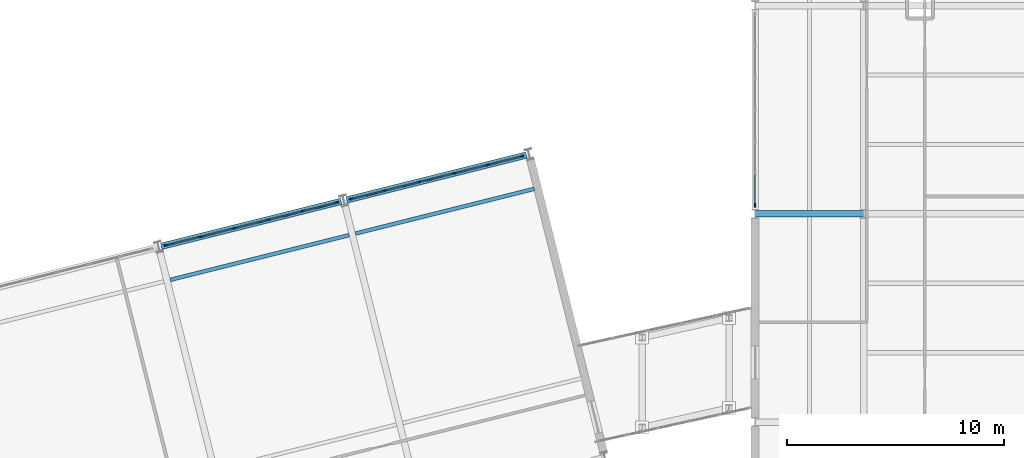
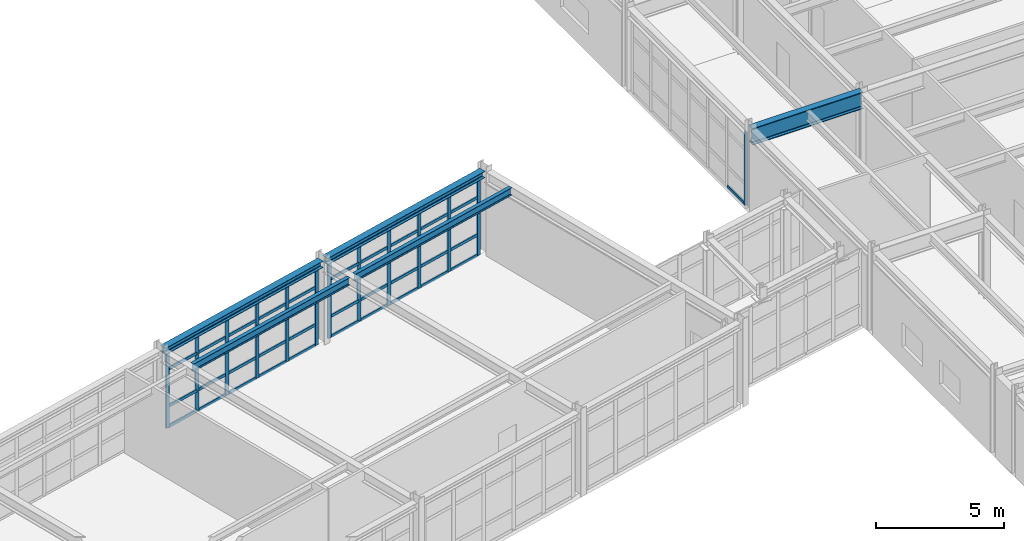
# One storey, part 50 of 99: 54 members, 5 beams, 3 elements without a shape of their own.
"""IFC4 building model written with IfcOpenShell, lengths in metres."""

from ifc_helpers import new_model, si_unit, direction, frame, origin, origin_2d, place, context, subcontext, project, spatial, rectangle, i_section, extrude, material, layer, layer_set, material_profile, profile_set, type_object, element, aggregate, save


model = new_model("IFC4")

# Units and contexts
model_context = context("Model", 3, precision=1e-05, world=origin(), true_north=direction((0.0, 1.0)))
body_context = subcontext(model_context, "Body", "Model", "MODEL_VIEW")
ifc_project = project(units=[si_unit("LENGTHUNIT", "METRE"), si_unit("AREAUNIT", "SQUARE_METRE"), si_unit("VOLUMEUNIT", "CUBIC_METRE"), si_unit("PLANEANGLEUNIT", "RADIAN"), si_unit("MASSUNIT", "GRAM", prefix="KILO")], contexts=[model_context])

# Site, building, storey
site_placement = place(None, origin())
site = spatial("IfcSite", under=ifc_project, at=site_placement, CompositionType="ELEMENT")
building_placement = place(site_placement, origin())
building = spatial("IfcBuilding", under=site, at=building_placement, Name="Nordkorset Police Headquarters", CompositionType="ELEMENT")
storey_placement = place(building_placement, frame((0.0, 0.0, 5.25)))
storey = spatial("IfcBuildingStorey", under=building, at=storey_placement, Name="L01", CompositionType="ELEMENT", Elevation=5.25)

# Beams
ifc_material_1 = material(Name="Steel S355J2", Category="steel")
ifc_material_profile_1 = material_profile(ifc_material_1, i_section(OverallWidth=0.169921875, OverallDepth=0.360107421875, WebThickness=0.008056640625, FlangeThickness=0.0126953125, FilletRadius=0.01806640625, at=origin_2d()), Name="IPE 360")
ifc_profile_set_1 = profile_set([ifc_material_profile_1], Name="Steel S355J2")
beam_type_1 = type_object("IfcBeamType", Name="Beam_IPE_360", PredefinedType="BEAM", material=ifc_profile_set_1)
for number, where, z_axis, x_axis, name in (
    (1, (59.44677734375, 64.155517578125, 3.780029296875), (0.970135741501, 0.242562658011, 0.0), (-0.242562658011, 0.970135741501, 0.0), "Splayed Wing Secondary Beam L01 4-2"),
    (2, (67.984130859375, 66.2900390625, 3.780029296875), (0.970142500145, 0.242535625036, 0.0), (-0.242535625036, 0.970142500145, 0.0), "Splayed Wing Secondary Beam L01 5-2"),
):
    element("IfcBeam", number, at=place(storey_placement, frame(where, z_axis=z_axis, x_axis=x_axis)), inside=storey, type_object=beam_type_1, Name=name, PredefinedType="BEAM", context=body_context, shape_type="SweptSolid", body=[
        extrude(i_section(OverallWidth=0.169921875, OverallDepth=0.360107421875, WebThickness=0.008056640625, FlangeThickness=0.0126953125, FilletRadius=0.01806640625, at=origin_2d()), origin(), (0.0, 0.0, 1.0), 8.5),
    ])

# Curtain wall, members
ifc_material_2 = material(Name="Aluminium alloy AW-6060", Category="aluminium")
ifc_layer_1 = layer(ifc_material_2, 0.179931640625, Name="Aluminium alloy AW-6060")
ifc_layer_set_1 = layer_set([ifc_layer_1], Name="Aluminium alloy AW-6060")
curtain_wall_type_1 = type_object("IfcCurtainWallType", Name="CW_Unit_816x363", PredefinedType="USERDEFINED", material=ifc_layer_set_1)
curtain_wall_1_placement = place(storey_placement, origin())
curtain_wall_1 = element("IfcCurtainWall", 3, at=curtain_wall_1_placement, inside=storey, type_object=curtain_wall_type_1, Name="Unitised Curtain Wall L01 V4N-4", ObjectType="UNITISED CURTAIN WALL", PredefinedType="USERDEFINED")
ifc_material_3 = material(Name="Aluminium alloy AW-6060", Category="aluminium")
ifc_material_profile_2 = material_profile(ifc_material_3, rectangle(XDim=0.06494140625, YDim=0.179931640625, at=origin_2d()), Name="ALU MULL 65x180")
ifc_profile_set_2 = profile_set([ifc_material_profile_2], Name="Aluminium alloy AW-6060")
member_type_1 = type_object("IfcMemberType", Name="CW_Mullion_65x180", PredefinedType="MULLION", material=ifc_profile_set_2)
member_1_placement = place(storey_placement, frame((59.255126953125, 65.757080078125, 0.0), z_axis=(0.0, 0.0, 1.0), x_axis=(-0.242535336683, 0.970142572234, 0.0)))
member_1 = element("IfcMember", 4, at=member_1_placement, type_object=member_type_1, Name="CW-34 mullion 1", PredefinedType="MULLION", context=body_context, shape_type="SweptSolid", body=[
    extrude(rectangle(XDim=0.06494140625, YDim=0.179931640625, at=origin_2d()), origin(), (0.0, 0.0, 1.0), 3.6298828125),
])
member_2_placement = place(storey_placement, frame((60.806884765625, 66.14501953125, 0.0), z_axis=(0.0, 0.0, 1.0), x_axis=(-0.242535336683, 0.970142572234, 0.0)))
member_2 = element("IfcMember", 5, at=member_2_placement, type_object=member_type_1, Name="CW-34 mullion 2", PredefinedType="MULLION", context=body_context, shape_type="SweptSolid", body=[
    extrude(rectangle(XDim=0.06494140625, YDim=0.179931640625, at=origin_2d()), origin(), (0.0, 0.0, 1.0), 3.6298828125),
])
member_3_placement = place(storey_placement, frame((62.39013671875, 66.540771484375, 0.0), z_axis=(0.0, 0.0, 1.0), x_axis=(-0.242535336683, 0.970142572234, 0.0)))
member_3 = element("IfcMember", 6, at=member_3_placement, type_object=member_type_1, Name="CW-34 mullion 3", PredefinedType="MULLION", context=body_context, shape_type="SweptSolid", body=[
    extrude(rectangle(XDim=0.06494140625, YDim=0.179931640625, at=origin_2d()), origin(), (0.0, 0.0, 1.0), 3.6298828125),
])
member_4_placement = place(storey_placement, frame((63.973388671875, 66.9365234375, 0.0), z_axis=(0.0, 0.0, 1.0), x_axis=(-0.242535336683, 0.970142572234, 0.0)))
member_4 = element("IfcMember", 7, at=member_4_placement, type_object=member_type_1, Name="CW-34 mullion 4", PredefinedType="MULLION", context=body_context, shape_type="SweptSolid", body=[
    extrude(rectangle(XDim=0.06494140625, YDim=0.179931640625, at=origin_2d()), origin(), (0.0, 0.0, 1.0), 3.6298828125),
])
member_5_placement = place(storey_placement, frame((65.556640625, 67.332275390625, 0.0), z_axis=(0.0, 0.0, 1.0), x_axis=(-0.242535336683, 0.970142572234, 0.0)))
member_5 = element("IfcMember", 8, at=member_5_placement, type_object=member_type_1, Name="CW-34 mullion 5", PredefinedType="MULLION", context=body_context, shape_type="SweptSolid", body=[
    extrude(rectangle(XDim=0.06494140625, YDim=0.179931640625, at=origin_2d()), origin(), (0.0, 0.0, 1.0), 3.6298828125),
])
member_6_placement = place(storey_placement, frame((67.1083984375, 67.72021484375, 0.0), z_axis=(0.0, 0.0, 1.0), x_axis=(-0.242535336683, 0.970142572234, 0.0)))
member_6 = element("IfcMember", 9, at=member_6_placement, type_object=member_type_1, Name="CW-34 mullion 6", PredefinedType="MULLION", context=body_context, shape_type="SweptSolid", body=[
    extrude(rectangle(XDim=0.06494140625, YDim=0.179931640625, at=origin_2d()), origin(), (0.0, 0.0, 1.0), 3.6298828125),
])

curtain_wall_2_placement = place(storey_placement, origin())
curtain_wall_2 = element("IfcCurtainWall", 10, at=curtain_wall_2_placement, inside=storey, type_object=curtain_wall_type_1, Name="Unitised Curtain Wall L01 V4N-5", ObjectType="UNITISED CURTAIN WALL", PredefinedType="USERDEFINED")
member_7_placement = place(storey_placement, frame((67.79248046875, 67.891357421875, 0.0), z_axis=(0.0, 0.0, 1.0), x_axis=(-0.242535625038, 0.970142500145, 0.0)))
member_7 = element("IfcMember", 11, at=member_7_placement, type_object=member_type_1, Name="CW-34 mullion 1", PredefinedType="MULLION", context=body_context, shape_type="SweptSolid", body=[
    extrude(rectangle(XDim=0.06494140625, YDim=0.179931640625, at=origin_2d()), origin(), (0.0, 0.0, 1.0), 3.6298828125),
])
member_8_placement = place(storey_placement, frame((69.34423828125, 68.279296875, 0.0), z_axis=(0.0, 0.0, 1.0), x_axis=(-0.242535625038, 0.970142500145, 0.0)))
member_8 = element("IfcMember", 12, at=member_8_placement, type_object=member_type_1, Name="CW-34 mullion 2", PredefinedType="MULLION", context=body_context, shape_type="SweptSolid", body=[
    extrude(rectangle(XDim=0.06494140625, YDim=0.179931640625, at=origin_2d()), origin(), (0.0, 0.0, 1.0), 3.6298828125),
])
member_9_placement = place(storey_placement, frame((70.927490234375, 68.675048828125, 0.0), z_axis=(0.0, 0.0, 1.0), x_axis=(-0.242535625038, 0.970142500145, 0.0)))
member_9 = element("IfcMember", 13, at=member_9_placement, type_object=member_type_1, Name="CW-34 mullion 3", PredefinedType="MULLION", context=body_context, shape_type="SweptSolid", body=[
    extrude(rectangle(XDim=0.06494140625, YDim=0.179931640625, at=origin_2d()), origin(), (0.0, 0.0, 1.0), 3.6298828125),
])
member_10_placement = place(storey_placement, frame((72.5107421875, 69.07080078125, 0.0), z_axis=(0.0, 0.0, 1.0), x_axis=(-0.242535625038, 0.970142500145, 0.0)))
member_10 = element("IfcMember", 14, at=member_10_placement, type_object=member_type_1, Name="CW-34 mullion 4", PredefinedType="MULLION", context=body_context, shape_type="SweptSolid", body=[
    extrude(rectangle(XDim=0.06494140625, YDim=0.179931640625, at=origin_2d()), origin(), (0.0, 0.0, 1.0), 3.6298828125),
])
member_11_placement = place(storey_placement, frame((74.093994140625, 69.466552734375, 0.0), z_axis=(0.0, 0.0, 1.0), x_axis=(-0.242535625038, 0.970142500145, 0.0)))
member_11 = element("IfcMember", 15, at=member_11_placement, type_object=member_type_1, Name="CW-34 mullion 5", PredefinedType="MULLION", context=body_context, shape_type="SweptSolid", body=[
    extrude(rectangle(XDim=0.06494140625, YDim=0.179931640625, at=origin_2d()), origin(), (0.0, 0.0, 1.0), 3.6298828125),
])
member_12_placement = place(storey_placement, frame((75.645751953125, 69.8544921875, 0.0), z_axis=(0.0, 0.0, 1.0), x_axis=(-0.242535625038, 0.970142500145, 0.0)))
member_12 = element("IfcMember", 16, at=member_12_placement, type_object=member_type_1, Name="CW-34 mullion 6", PredefinedType="MULLION", context=body_context, shape_type="SweptSolid", body=[
    extrude(rectangle(XDim=0.06494140625, YDim=0.179931640625, at=origin_2d()), origin(), (0.0, 0.0, 1.0), 3.6298828125),
])

# Curtain wall, member
ifc_material_4 = material(Name="Aluminium alloy AW-6060", Category="aluminium")
ifc_layer_2 = layer(ifc_material_4, 0.179931640625, Name="Aluminium alloy AW-6060")
ifc_layer_set_2 = layer_set([ifc_layer_2], Name="Aluminium alloy AW-6060")
curtain_wall_type_2 = type_object("IfcCurtainWallType", Name="CW_Unit_888x350", PredefinedType="USERDEFINED", material=ifc_layer_set_2)
curtain_wall_3_placement = place(storey_placement, origin())
curtain_wall_3 = element("IfcCurtainWall", 17, at=curtain_wall_3_placement, inside=storey, type_object=curtain_wall_type_2, Name="Unitised Curtain Wall L01 V5W-2", ObjectType="UNITISED CURTAIN WALL", PredefinedType="USERDEFINED")
member_13_placement = place(storey_placement, frame((86.39990234375, 67.592529296875, 0.0), z_axis=(0.0, 0.0, 1.0), x_axis=(-1.0, 0.0, 0.0)))
member_13 = element("IfcMember", 18, at=member_13_placement, type_object=member_type_1, Name="CW-95 mullion 1", PredefinedType="MULLION", context=body_context, shape_type="SweptSolid", body=[
    extrude(rectangle(XDim=0.06494140625, YDim=0.179931640625, at=origin_2d()), origin(), (0.0, 0.0, 1.0), 3.5),
])

# Member
ifc_material_5 = material(Name="Aluminium alloy AW-6060", Category="aluminium")
ifc_material_profile_3 = material_profile(ifc_material_5, rectangle(XDim=0.06494140625, YDim=0.139892578125, at=origin_2d()), Name="ALU TRAN 65x140")
ifc_profile_set_3 = profile_set([ifc_material_profile_3], Name="Aluminium alloy AW-6060")
member_type_2 = type_object("IfcMemberType", Name="CW_Transom_65x140", PredefinedType="USERDEFINED", material=ifc_profile_set_3)
member_14_placement = place(storey_placement, frame((59.28662109375, 65.764892578125, 0.032470703125), z_axis=(0.970161214313, 0.242460756086, 0.0), x_axis=(-0.242460756086, 0.970161214313, 0.0)))
member_14 = element("IfcMember", 19, at=member_14_placement, type_object=member_type_2, Name="CW-34 transom 1.1", ObjectType="TRANSOM", PredefinedType="USERDEFINED", context=body_context, shape_type="SweptSolid", body=[
    extrude(rectangle(XDim=0.06494140625, YDim=0.139892578125, at=origin_2d()), origin(), (0.0, 0.0, 1.0), 1.53466796875),
])

member_15_placement = place(storey_placement, frame((59.28662109375, 65.764892578125, 1.0), z_axis=(0.970161214313, 0.242460756086, 0.0), x_axis=(-0.242460756086, 0.970161214313, 0.0)))
member_15 = element("IfcMember", 20, at=member_15_placement, type_object=member_type_2, Name="CW-34 transom 1.2", ObjectType="TRANSOM", PredefinedType="USERDEFINED", context=body_context, shape_type="SweptSolid", body=[
    extrude(rectangle(XDim=0.06494140625, YDim=0.139892578125, at=origin_2d()), origin(), (0.0, 0.0, 1.0), 1.53466796875),
])

member_16_placement = place(storey_placement, frame((59.28662109375, 65.764892578125, 2.780029296875), z_axis=(0.970161214313, 0.242460756086, 0.0), x_axis=(-0.242460756086, 0.970161214313, 0.0)))
member_16 = element("IfcMember", 21, at=member_16_placement, type_object=member_type_2, Name="CW-34 transom 1.3", ObjectType="TRANSOM", PredefinedType="USERDEFINED", context=body_context, shape_type="SweptSolid", body=[
    extrude(rectangle(XDim=0.06494140625, YDim=0.139892578125, at=origin_2d()), origin(), (0.0, 0.0, 1.0), 1.53466796875),
])

member_17_placement = place(storey_placement, frame((59.28662109375, 65.764892578125, 3.597412109375), z_axis=(0.970161214313, 0.242460756086, 0.0), x_axis=(-0.242460756086, 0.970161214313, 0.0)))
member_17 = element("IfcMember", 22, at=member_17_placement, type_object=member_type_2, Name="CW-34 transom 1.4", ObjectType="TRANSOM", PredefinedType="USERDEFINED", context=body_context, shape_type="SweptSolid", body=[
    extrude(rectangle(XDim=0.06494140625, YDim=0.139892578125, at=origin_2d()), origin(), (0.0, 0.0, 1.0), 1.53466796875),
])

member_18_placement = place(storey_placement, frame((60.83837890625, 66.15283203125, 0.032470703125), z_axis=(0.970133335061, 0.24257228243, 0.0), x_axis=(-0.24257228243, 0.970133335061, 0.0)))
member_18 = element("IfcMember", 23, at=member_18_placement, type_object=member_type_2, Name="CW-34 transom 2.1", ObjectType="TRANSOM", PredefinedType="USERDEFINED", context=body_context, shape_type="SweptSolid", body=[
    extrude(rectangle(XDim=0.06494140625, YDim=0.139892578125, at=origin_2d()), origin(), (0.0, 0.0, 1.0), 1.567138671875),
])

member_19_placement = place(storey_placement, frame((60.83837890625, 66.15283203125, 1.0), z_axis=(0.970133335061, 0.24257228243, 0.0), x_axis=(-0.24257228243, 0.970133335061, 0.0)))
member_19 = element("IfcMember", 24, at=member_19_placement, type_object=member_type_2, Name="CW-34 transom 2.2", ObjectType="TRANSOM", PredefinedType="USERDEFINED", context=body_context, shape_type="SweptSolid", body=[
    extrude(rectangle(XDim=0.06494140625, YDim=0.139892578125, at=origin_2d()), origin(), (0.0, 0.0, 1.0), 1.567138671875),
])

member_20_placement = place(storey_placement, frame((60.83837890625, 66.15283203125, 2.780029296875), z_axis=(0.970133335061, 0.24257228243, 0.0), x_axis=(-0.24257228243, 0.970133335061, 0.0)))
member_20 = element("IfcMember", 25, at=member_20_placement, type_object=member_type_2, Name="CW-34 transom 2.3", ObjectType="TRANSOM", PredefinedType="USERDEFINED", context=body_context, shape_type="SweptSolid", body=[
    extrude(rectangle(XDim=0.06494140625, YDim=0.139892578125, at=origin_2d()), origin(), (0.0, 0.0, 1.0), 1.567138671875),
])

member_21_placement = place(storey_placement, frame((60.83837890625, 66.15283203125, 3.597412109375), z_axis=(0.970133335061, 0.24257228243, 0.0), x_axis=(-0.24257228243, 0.970133335061, 0.0)))
member_21 = element("IfcMember", 26, at=member_21_placement, type_object=member_type_2, Name="CW-34 transom 2.4", ObjectType="TRANSOM", PredefinedType="USERDEFINED", context=body_context, shape_type="SweptSolid", body=[
    extrude(rectangle(XDim=0.06494140625, YDim=0.139892578125, at=origin_2d()), origin(), (0.0, 0.0, 1.0), 1.567138671875),
])

member_22_placement = place(storey_placement, frame((62.421630859375, 66.548583984375, 0.032470703125), z_axis=(0.970133335061, 0.24257228243, 0.0), x_axis=(-0.24257228243, 0.970133335061, 0.0)))
member_22 = element("IfcMember", 27, at=member_22_placement, type_object=member_type_2, Name="CW-34 transom 3.1", ObjectType="TRANSOM", PredefinedType="USERDEFINED", context=body_context, shape_type="SweptSolid", body=[
    extrude(rectangle(XDim=0.06494140625, YDim=0.139892578125, at=origin_2d()), origin(), (0.0, 0.0, 1.0), 1.567138671875),
])

member_23_placement = place(storey_placement, frame((62.421630859375, 66.548583984375, 1.0), z_axis=(0.970133335061, 0.24257228243, 0.0), x_axis=(-0.24257228243, 0.970133335061, 0.0)))
member_23 = element("IfcMember", 28, at=member_23_placement, type_object=member_type_2, Name="CW-34 transom 3.2", ObjectType="TRANSOM", PredefinedType="USERDEFINED", context=body_context, shape_type="SweptSolid", body=[
    extrude(rectangle(XDim=0.06494140625, YDim=0.139892578125, at=origin_2d()), origin(), (0.0, 0.0, 1.0), 1.567138671875),
])

member_24_placement = place(storey_placement, frame((62.421630859375, 66.548583984375, 2.780029296875), z_axis=(0.970133335061, 0.24257228243, 0.0), x_axis=(-0.24257228243, 0.970133335061, 0.0)))
member_24 = element("IfcMember", 29, at=member_24_placement, type_object=member_type_2, Name="CW-34 transom 3.3", ObjectType="TRANSOM", PredefinedType="USERDEFINED", context=body_context, shape_type="SweptSolid", body=[
    extrude(rectangle(XDim=0.06494140625, YDim=0.139892578125, at=origin_2d()), origin(), (0.0, 0.0, 1.0), 1.567138671875),
])

member_25_placement = place(storey_placement, frame((62.421630859375, 66.548583984375, 3.597412109375), z_axis=(0.970133335061, 0.24257228243, 0.0), x_axis=(-0.24257228243, 0.970133335061, 0.0)))
member_25 = element("IfcMember", 30, at=member_25_placement, type_object=member_type_2, Name="CW-34 transom 3.4", ObjectType="TRANSOM", PredefinedType="USERDEFINED", context=body_context, shape_type="SweptSolid", body=[
    extrude(rectangle(XDim=0.06494140625, YDim=0.139892578125, at=origin_2d()), origin(), (0.0, 0.0, 1.0), 1.567138671875),
])

member_26_placement = place(storey_placement, frame((64.0048828125, 66.9443359375, 0.032470703125), z_axis=(0.970133335061, 0.24257228243, 0.0), x_axis=(-0.24257228243, 0.970133335061, 0.0)))
member_26 = element("IfcMember", 31, at=member_26_placement, type_object=member_type_2, Name="CW-34 transom 4.1", ObjectType="TRANSOM", PredefinedType="USERDEFINED", context=body_context, shape_type="SweptSolid", body=[
    extrude(rectangle(XDim=0.06494140625, YDim=0.139892578125, at=origin_2d()), origin(), (0.0, 0.0, 1.0), 1.567138671875),
])

member_27_placement = place(storey_placement, frame((64.0048828125, 66.9443359375, 1.0), z_axis=(0.970133335061, 0.24257228243, 0.0), x_axis=(-0.24257228243, 0.970133335061, 0.0)))
member_27 = element("IfcMember", 32, at=member_27_placement, type_object=member_type_2, Name="CW-34 transom 4.2", ObjectType="TRANSOM", PredefinedType="USERDEFINED", context=body_context, shape_type="SweptSolid", body=[
    extrude(rectangle(XDim=0.06494140625, YDim=0.139892578125, at=origin_2d()), origin(), (0.0, 0.0, 1.0), 1.567138671875),
])

member_28_placement = place(storey_placement, frame((64.0048828125, 66.9443359375, 2.780029296875), z_axis=(0.970133335061, 0.24257228243, 0.0), x_axis=(-0.24257228243, 0.970133335061, 0.0)))
member_28 = element("IfcMember", 33, at=member_28_placement, type_object=member_type_2, Name="CW-34 transom 4.3", ObjectType="TRANSOM", PredefinedType="USERDEFINED", context=body_context, shape_type="SweptSolid", body=[
    extrude(rectangle(XDim=0.06494140625, YDim=0.139892578125, at=origin_2d()), origin(), (0.0, 0.0, 1.0), 1.567138671875),
])

member_29_placement = place(storey_placement, frame((64.0048828125, 66.9443359375, 3.597412109375), z_axis=(0.970133335061, 0.24257228243, 0.0), x_axis=(-0.24257228243, 0.970133335061, 0.0)))
member_29 = element("IfcMember", 34, at=member_29_placement, type_object=member_type_2, Name="CW-34 transom 4.4", ObjectType="TRANSOM", PredefinedType="USERDEFINED", context=body_context, shape_type="SweptSolid", body=[
    extrude(rectangle(XDim=0.06494140625, YDim=0.139892578125, at=origin_2d()), origin(), (0.0, 0.0, 1.0), 1.567138671875),
])

member_30_placement = place(storey_placement, frame((65.588134765625, 67.34033203125, 0.032470703125), z_axis=(0.970161214313, 0.242460756086, 0.0), x_axis=(-0.242460756086, 0.970161214313, 0.0)))
member_30 = element("IfcMember", 35, at=member_30_placement, type_object=member_type_2, Name="CW-34 transom 5.1", ObjectType="TRANSOM", PredefinedType="USERDEFINED", context=body_context, shape_type="SweptSolid", body=[
    extrude(rectangle(XDim=0.06494140625, YDim=0.139892578125, at=origin_2d()), origin(), (0.0, 0.0, 1.0), 1.53466796875),
])

member_31_placement = place(storey_placement, frame((65.588134765625, 67.34033203125, 1.0), z_axis=(0.970161214313, 0.242460756086, 0.0), x_axis=(-0.242460756086, 0.970161214313, 0.0)))
member_31 = element("IfcMember", 36, at=member_31_placement, type_object=member_type_2, Name="CW-34 transom 5.2", ObjectType="TRANSOM", PredefinedType="USERDEFINED", context=body_context, shape_type="SweptSolid", body=[
    extrude(rectangle(XDim=0.06494140625, YDim=0.139892578125, at=origin_2d()), origin(), (0.0, 0.0, 1.0), 1.53466796875),
])

member_32_placement = place(storey_placement, frame((65.588134765625, 67.34033203125, 2.780029296875), z_axis=(0.970161214313, 0.242460756086, 0.0), x_axis=(-0.242460756086, 0.970161214313, 0.0)))
member_32 = element("IfcMember", 37, at=member_32_placement, type_object=member_type_2, Name="CW-34 transom 5.3", ObjectType="TRANSOM", PredefinedType="USERDEFINED", context=body_context, shape_type="SweptSolid", body=[
    extrude(rectangle(XDim=0.06494140625, YDim=0.139892578125, at=origin_2d()), origin(), (0.0, 0.0, 1.0), 1.53466796875),
])

member_33_placement = place(storey_placement, frame((65.588134765625, 67.34033203125, 3.597412109375), z_axis=(0.970161214313, 0.242460756086, 0.0), x_axis=(-0.242460756086, 0.970161214313, 0.0)))
member_33 = element("IfcMember", 38, at=member_33_placement, type_object=member_type_2, Name="CW-34 transom 5.4", ObjectType="TRANSOM", PredefinedType="USERDEFINED", context=body_context, shape_type="SweptSolid", body=[
    extrude(rectangle(XDim=0.06494140625, YDim=0.139892578125, at=origin_2d()), origin(), (0.0, 0.0, 1.0), 1.53466796875),
])

aggregate(curtain_wall_1, [member_1, member_2, member_3, member_4, member_5, member_6, member_14, member_15, member_16, member_17, member_18, member_19, member_20, member_21, member_22, member_23, member_24, member_25, member_26, member_27, member_28, member_29, member_30, member_31, member_32, member_33])

member_34_placement = place(storey_placement, frame((67.823974609375, 67.899169921875, 0.032470703125), z_axis=(0.970161214313, 0.242460756086, 0.0), x_axis=(-0.242460756086, 0.970161214313, 0.0)))
member_34 = element("IfcMember", 39, at=member_34_placement, type_object=member_type_2, Name="CW-34 transom 1.1", ObjectType="TRANSOM", PredefinedType="USERDEFINED", context=body_context, shape_type="SweptSolid", body=[
    extrude(rectangle(XDim=0.06494140625, YDim=0.139892578125, at=origin_2d()), origin(), (0.0, 0.0, 1.0), 1.53466796875),
])

member_35_placement = place(storey_placement, frame((67.823974609375, 67.899169921875, 1.0), z_axis=(0.970161214313, 0.242460756086, 0.0), x_axis=(-0.242460756086, 0.970161214313, 0.0)))
member_35 = element("IfcMember", 40, at=member_35_placement, type_object=member_type_2, Name="CW-34 transom 1.2", ObjectType="TRANSOM", PredefinedType="USERDEFINED", context=body_context, shape_type="SweptSolid", body=[
    extrude(rectangle(XDim=0.06494140625, YDim=0.139892578125, at=origin_2d()), origin(), (0.0, 0.0, 1.0), 1.53466796875),
])

member_36_placement = place(storey_placement, frame((67.823974609375, 67.899169921875, 2.780029296875), z_axis=(0.970161214313, 0.242460756086, 0.0), x_axis=(-0.242460756086, 0.970161214313, 0.0)))
member_36 = element("IfcMember", 41, at=member_36_placement, type_object=member_type_2, Name="CW-34 transom 1.3", ObjectType="TRANSOM", PredefinedType="USERDEFINED", context=body_context, shape_type="SweptSolid", body=[
    extrude(rectangle(XDim=0.06494140625, YDim=0.139892578125, at=origin_2d()), origin(), (0.0, 0.0, 1.0), 1.53466796875),
])

member_37_placement = place(storey_placement, frame((67.823974609375, 67.899169921875, 3.597412109375), z_axis=(0.970161214313, 0.242460756086, 0.0), x_axis=(-0.242460756086, 0.970161214313, 0.0)))
member_37 = element("IfcMember", 42, at=member_37_placement, type_object=member_type_2, Name="CW-34 transom 1.4", ObjectType="TRANSOM", PredefinedType="USERDEFINED", context=body_context, shape_type="SweptSolid", body=[
    extrude(rectangle(XDim=0.06494140625, YDim=0.139892578125, at=origin_2d()), origin(), (0.0, 0.0, 1.0), 1.53466796875),
])

member_38_placement = place(storey_placement, frame((69.375732421875, 68.287109375, 0.032470703125), z_axis=(0.970133335061, 0.24257228243, 0.0), x_axis=(-0.24257228243, 0.970133335061, 0.0)))
member_38 = element("IfcMember", 43, at=member_38_placement, type_object=member_type_2, Name="CW-34 transom 2.1", ObjectType="TRANSOM", PredefinedType="USERDEFINED", context=body_context, shape_type="SweptSolid", body=[
    extrude(rectangle(XDim=0.06494140625, YDim=0.139892578125, at=origin_2d()), origin(), (0.0, 0.0, 1.0), 1.567138671875),
])

member_39_placement = place(storey_placement, frame((69.375732421875, 68.287109375, 1.0), z_axis=(0.970133335061, 0.24257228243, 0.0), x_axis=(-0.24257228243, 0.970133335061, 0.0)))
member_39 = element("IfcMember", 44, at=member_39_placement, type_object=member_type_2, Name="CW-34 transom 2.2", ObjectType="TRANSOM", PredefinedType="USERDEFINED", context=body_context, shape_type="SweptSolid", body=[
    extrude(rectangle(XDim=0.06494140625, YDim=0.139892578125, at=origin_2d()), origin(), (0.0, 0.0, 1.0), 1.567138671875),
])

member_40_placement = place(storey_placement, frame((69.375732421875, 68.287109375, 2.780029296875), z_axis=(0.970133335061, 0.24257228243, 0.0), x_axis=(-0.24257228243, 0.970133335061, 0.0)))
member_40 = element("IfcMember", 45, at=member_40_placement, type_object=member_type_2, Name="CW-34 transom 2.3", ObjectType="TRANSOM", PredefinedType="USERDEFINED", context=body_context, shape_type="SweptSolid", body=[
    extrude(rectangle(XDim=0.06494140625, YDim=0.139892578125, at=origin_2d()), origin(), (0.0, 0.0, 1.0), 1.567138671875),
])

member_41_placement = place(storey_placement, frame((69.375732421875, 68.287109375, 3.597412109375), z_axis=(0.970133335061, 0.24257228243, 0.0), x_axis=(-0.24257228243, 0.970133335061, 0.0)))
member_41 = element("IfcMember", 46, at=member_41_placement, type_object=member_type_2, Name="CW-34 transom 2.4", ObjectType="TRANSOM", PredefinedType="USERDEFINED", context=body_context, shape_type="SweptSolid", body=[
    extrude(rectangle(XDim=0.06494140625, YDim=0.139892578125, at=origin_2d()), origin(), (0.0, 0.0, 1.0), 1.567138671875),
])

member_42_placement = place(storey_placement, frame((70.958984375, 68.682861328125, 0.032470703125), z_axis=(0.970133335061, 0.24257228243, 0.0), x_axis=(-0.24257228243, 0.970133335061, 0.0)))
member_42 = element("IfcMember", 47, at=member_42_placement, type_object=member_type_2, Name="CW-34 transom 3.1", ObjectType="TRANSOM", PredefinedType="USERDEFINED", context=body_context, shape_type="SweptSolid", body=[
    extrude(rectangle(XDim=0.06494140625, YDim=0.139892578125, at=origin_2d()), origin(), (0.0, 0.0, 1.0), 1.567138671875),
])

member_43_placement = place(storey_placement, frame((70.958984375, 68.682861328125, 1.0), z_axis=(0.970133335061, 0.24257228243, 0.0), x_axis=(-0.24257228243, 0.970133335061, 0.0)))
member_43 = element("IfcMember", 48, at=member_43_placement, type_object=member_type_2, Name="CW-34 transom 3.2", ObjectType="TRANSOM", PredefinedType="USERDEFINED", context=body_context, shape_type="SweptSolid", body=[
    extrude(rectangle(XDim=0.06494140625, YDim=0.139892578125, at=origin_2d()), origin(), (0.0, 0.0, 1.0), 1.567138671875),
])

member_44_placement = place(storey_placement, frame((70.958984375, 68.682861328125, 2.780029296875), z_axis=(0.970133335061, 0.24257228243, 0.0), x_axis=(-0.24257228243, 0.970133335061, 0.0)))
member_44 = element("IfcMember", 49, at=member_44_placement, type_object=member_type_2, Name="CW-34 transom 3.3", ObjectType="TRANSOM", PredefinedType="USERDEFINED", context=body_context, shape_type="SweptSolid", body=[
    extrude(rectangle(XDim=0.06494140625, YDim=0.139892578125, at=origin_2d()), origin(), (0.0, 0.0, 1.0), 1.567138671875),
])

member_45_placement = place(storey_placement, frame((70.958984375, 68.682861328125, 3.597412109375), z_axis=(0.970133335061, 0.24257228243, 0.0), x_axis=(-0.24257228243, 0.970133335061, 0.0)))
member_45 = element("IfcMember", 50, at=member_45_placement, type_object=member_type_2, Name="CW-34 transom 3.4", ObjectType="TRANSOM", PredefinedType="USERDEFINED", context=body_context, shape_type="SweptSolid", body=[
    extrude(rectangle(XDim=0.06494140625, YDim=0.139892578125, at=origin_2d()), origin(), (0.0, 0.0, 1.0), 1.567138671875),
])

member_46_placement = place(storey_placement, frame((72.542236328125, 69.078857421875, 0.032470703125), z_axis=(0.970169988125, 0.242425646623, 0.0), x_axis=(-0.242425646623, 0.970169988125, 0.0)))
member_46 = element("IfcMember", 51, at=member_46_placement, type_object=member_type_2, Name="CW-34 transom 4.1", ObjectType="TRANSOM", PredefinedType="USERDEFINED", context=body_context, shape_type="SweptSolid", body=[
    extrude(rectangle(XDim=0.06494140625, YDim=0.139892578125, at=origin_2d()), origin(), (0.0, 0.0, 1.0), 1.56689453125),
])

member_47_placement = place(storey_placement, frame((72.542236328125, 69.078857421875, 1.0), z_axis=(0.970169988125, 0.242425646623, 0.0), x_axis=(-0.242425646623, 0.970169988125, 0.0)))
member_47 = element("IfcMember", 52, at=member_47_placement, type_object=member_type_2, Name="CW-34 transom 4.2", ObjectType="TRANSOM", PredefinedType="USERDEFINED", context=body_context, shape_type="SweptSolid", body=[
    extrude(rectangle(XDim=0.06494140625, YDim=0.139892578125, at=origin_2d()), origin(), (0.0, 0.0, 1.0), 1.56689453125),
])

member_48_placement = place(storey_placement, frame((72.542236328125, 69.078857421875, 2.780029296875), z_axis=(0.970169988125, 0.242425646623, 0.0), x_axis=(-0.242425646623, 0.970169988125, 0.0)))
member_48 = element("IfcMember", 53, at=member_48_placement, type_object=member_type_2, Name="CW-34 transom 4.3", ObjectType="TRANSOM", PredefinedType="USERDEFINED", context=body_context, shape_type="SweptSolid", body=[
    extrude(rectangle(XDim=0.06494140625, YDim=0.139892578125, at=origin_2d()), origin(), (0.0, 0.0, 1.0), 1.56689453125),
])

member_49_placement = place(storey_placement, frame((72.542236328125, 69.078857421875, 3.597412109375), z_axis=(0.970169988125, 0.242425646623, 0.0), x_axis=(-0.242425646623, 0.970169988125, 0.0)))
member_49 = element("IfcMember", 54, at=member_49_placement, type_object=member_type_2, Name="CW-34 transom 4.4", ObjectType="TRANSOM", PredefinedType="USERDEFINED", context=body_context, shape_type="SweptSolid", body=[
    extrude(rectangle(XDim=0.06494140625, YDim=0.139892578125, at=origin_2d()), origin(), (0.0, 0.0, 1.0), 1.56689453125),
])

member_50_placement = place(storey_placement, frame((74.12548828125, 69.474609375, 0.032470703125), z_axis=(0.970161214313, 0.242460756086, 0.0), x_axis=(-0.242460756086, 0.970161214313, 0.0)))
member_50 = element("IfcMember", 55, at=member_50_placement, type_object=member_type_2, Name="CW-34 transom 5.1", ObjectType="TRANSOM", PredefinedType="USERDEFINED", context=body_context, shape_type="SweptSolid", body=[
    extrude(rectangle(XDim=0.06494140625, YDim=0.139892578125, at=origin_2d()), origin(), (0.0, 0.0, 1.0), 1.53466796875),
])

member_51_placement = place(storey_placement, frame((74.12548828125, 69.474609375, 1.0), z_axis=(0.970161214313, 0.242460756086, 0.0), x_axis=(-0.242460756086, 0.970161214313, 0.0)))
member_51 = element("IfcMember", 56, at=member_51_placement, type_object=member_type_2, Name="CW-34 transom 5.2", ObjectType="TRANSOM", PredefinedType="USERDEFINED", context=body_context, shape_type="SweptSolid", body=[
    extrude(rectangle(XDim=0.06494140625, YDim=0.139892578125, at=origin_2d()), origin(), (0.0, 0.0, 1.0), 1.53466796875),
])

member_52_placement = place(storey_placement, frame((74.12548828125, 69.474609375, 2.780029296875), z_axis=(0.970161214313, 0.242460756086, 0.0), x_axis=(-0.242460756086, 0.970161214313, 0.0)))
member_52 = element("IfcMember", 57, at=member_52_placement, type_object=member_type_2, Name="CW-34 transom 5.3", ObjectType="TRANSOM", PredefinedType="USERDEFINED", context=body_context, shape_type="SweptSolid", body=[
    extrude(rectangle(XDim=0.06494140625, YDim=0.139892578125, at=origin_2d()), origin(), (0.0, 0.0, 1.0), 1.53466796875),
])

member_53_placement = place(storey_placement, frame((74.12548828125, 69.474609375, 3.597412109375), z_axis=(0.970161214313, 0.242460756086, 0.0), x_axis=(-0.242460756086, 0.970161214313, 0.0)))
member_53 = element("IfcMember", 58, at=member_53_placement, type_object=member_type_2, Name="CW-34 transom 5.4", ObjectType="TRANSOM", PredefinedType="USERDEFINED", context=body_context, shape_type="SweptSolid", body=[
    extrude(rectangle(XDim=0.06494140625, YDim=0.139892578125, at=origin_2d()), origin(), (0.0, 0.0, 1.0), 1.53466796875),
])

aggregate(curtain_wall_2, [member_7, member_8, member_9, member_10, member_11, member_12, member_34, member_35, member_36, member_37, member_38, member_39, member_40, member_41, member_42, member_43, member_44, member_45, member_46, member_47, member_48, member_49, member_50, member_51, member_52, member_53])

member_54_placement = place(storey_placement, frame((86.39990234375, 67.625, 0.032470703125), z_axis=(0.0, 1.0, 0.0), x_axis=(-1.0, 0.0, 0.0)))
member_54 = element("IfcMember", 59, at=member_54_placement, type_object=member_type_2, Name="CW-95 transom 1.1", ObjectType="TRANSOM", PredefinedType="USERDEFINED", context=body_context, shape_type="SweptSolid", body=[
    extrude(rectangle(XDim=0.06494140625, YDim=0.139892578125, at=origin_2d()), origin(), (0.0, 0.0, 1.0), 1.382568359375),
])

aggregate(curtain_wall_3, [member_13, member_54])

# Beams
ifc_material_6 = material(Name="Steel S355J2", Category="steel")
ifc_material_profile_4 = material_profile(ifc_material_6, i_section(OverallWidth=0.300048828125, OverallDepth=0.800048828125, WebThickness=0.017578125, FlangeThickness=0.032958984375, FilletRadius=0.030029296875, at=origin_2d()), Name="HEB 800")
ifc_profile_set_4 = profile_set([ifc_material_profile_4], Name="Steel S355J2")
beam_type_2 = type_object("IfcBeamType", Name="Girder_HEB_800", PredefinedType="USERDEFINED", material=ifc_profile_set_4)
beam_placement = place(storey_placement, frame((86.40673828125, 67.199951171875, 3.56005859375), z_axis=(1.0, 0.0, 0.0), x_axis=(0.0, 1.0, 0.0)))
element("IfcBeam", 60, at=beam_placement, inside=storey, type_object=beam_type_2, Name="Girder V5 L01 GX-2-0", ObjectType="GIRDER", PredefinedType="USERDEFINED", context=body_context, shape_type="SweptSolid", body=[
    extrude(i_section(OverallWidth=0.300048828125, OverallDepth=0.800048828125, WebThickness=0.017578125, FlangeThickness=0.032958984375, FilletRadius=0.030029296875, at=origin_2d()), origin(), (0.0, 0.0, 1.0), 4.986572265625),
])
ifc_material_7 = material(Name="Steel S355J2", Category="steel")
ifc_material_profile_5 = material_profile(ifc_material_7, i_section(OverallWidth=0.300048828125, OverallDepth=0.31005859375, WebThickness=0.009033203125, FlangeThickness=0.015380859375, FilletRadius=0.027099609375, at=origin_2d()), Name="HEA 320")
ifc_profile_set_5 = profile_set([ifc_material_profile_5], Name="Steel S355J2")
beam_type_3 = type_object("IfcBeamType", Name="Spandrel_HEA_320", PredefinedType="SPANDREL", material=ifc_profile_set_5)
for number, where, z_axis, x_axis, name in (
    (61, (59.039306640625, 65.703125, 3.804931640625), (0.970147544948, 0.242515444933, 0.0), (-0.242515444933, 0.970147544948, 0.0), "Splayed Wing Spandrel L01 4-1"),
    (62, (67.57666015625, 67.83740234375, 3.804931640625), (0.970140818463, 0.242542351668, 0.0), (-0.242542351668, 0.970140818463, 0.0), "Splayed Wing Spandrel L01 5-1"),
):
    element("IfcBeam", number, at=place(storey_placement, frame(where, z_axis=z_axis, x_axis=x_axis)), inside=storey, type_object=beam_type_3, Name=name, PredefinedType="SPANDREL", context=body_context, shape_type="SweptSolid", body=[
        extrude(i_section(OverallWidth=0.300048828125, OverallDepth=0.31005859375, WebThickness=0.009033203125, FlangeThickness=0.015380859375, FilletRadius=0.027099609375, at=origin_2d()), origin(), (0.0, 0.0, 1.0), 8.539794921875),
    ])

save(model, "model.ifc")
